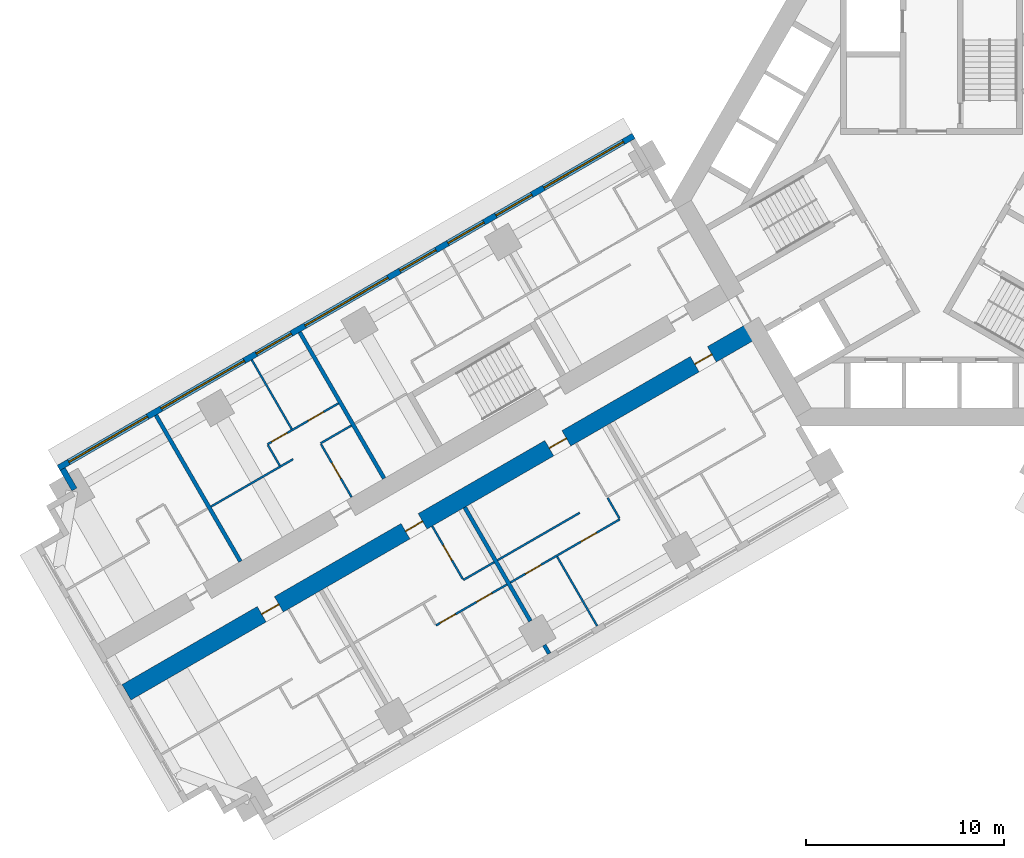
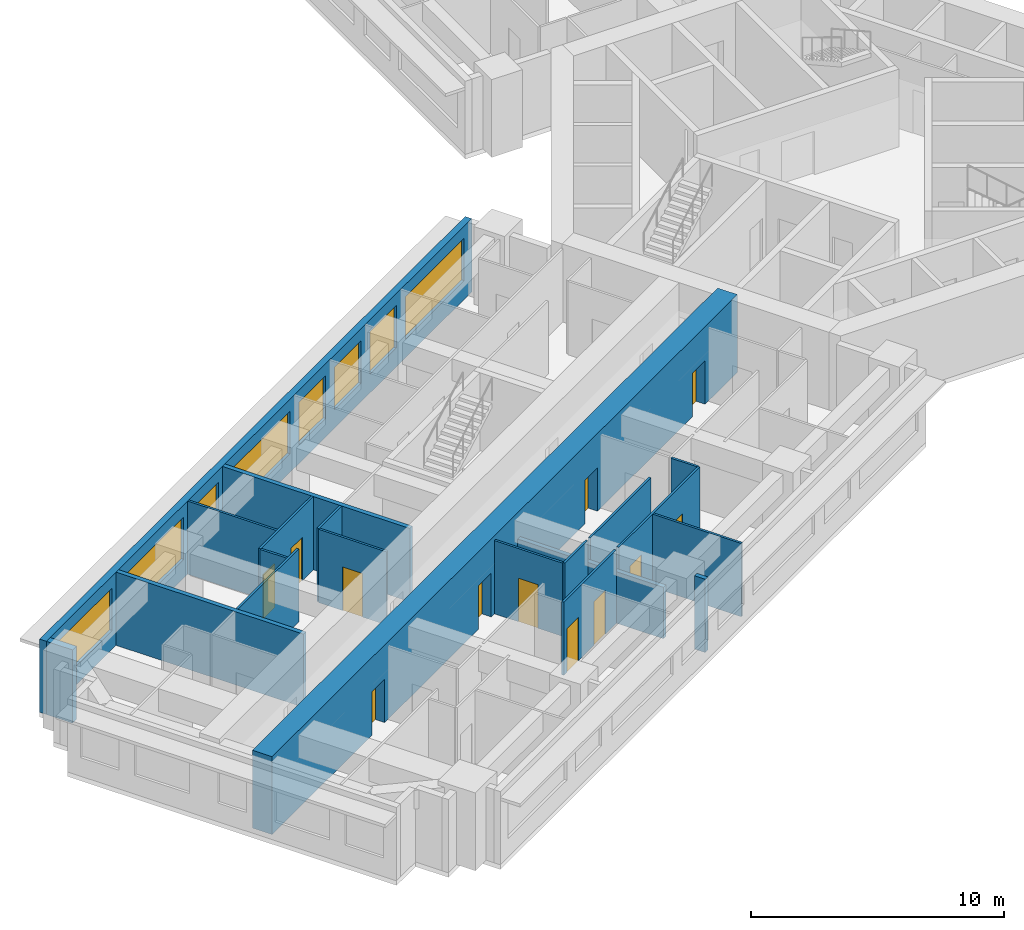
# One storey, part 4 of 15: 20 walls, 12 doors, 8 windows, 20 openings.
"""IFC4 building model written with IfcOpenShell, lengths in metres."""

from ifc_helpers import new_model, si_unit, direction, frame, frame_2d, origin, place, context, subcontext, project, spatial, rectangle, extrude, material, layer, layer_set, type_object, element, fill, save


model = new_model("IFC4")

# Units and contexts
model_context = context("Model", 3, precision=1e-05, world=origin(), true_north=direction((0.0, 1.0)))
body_context = subcontext(model_context, "Body", "Model", "MODEL_VIEW")
ifc_project = project(units=[si_unit("LENGTHUNIT", "METRE"), si_unit("AREAUNIT", "SQUARE_METRE"), si_unit("VOLUMEUNIT", "CUBIC_METRE"), si_unit("PLANEANGLEUNIT", "RADIAN"), si_unit("MASSUNIT", "GRAM", prefix="KILO")], contexts=[model_context])

# Site, building, storey
site_placement = place(None, origin())
site = spatial("IfcSite", under=ifc_project, at=site_placement, CompositionType="ELEMENT")
building_placement = place(site_placement, origin())
building = spatial("IfcBuilding", under=site, at=building_placement, Name="Impinga Residences", CompositionType="ELEMENT")
storey_placement = place(building_placement, frame((0.0, 0.0, 86.0)))
storey = spatial("IfcBuildingStorey", under=building, at=storey_placement, Name="L21", CompositionType="ELEMENT", Elevation=86.0)

# Wall, openings, doors
ifc_material_1 = material(Name="Concrete C70/85", Category="concrete")
ifc_layer_1 = layer(ifc_material_1, 0.89990234375)
ifc_layer_set_1 = layer_set([ifc_layer_1], Name="Concrete C70/85")
wall_type_1 = type_object("IfcWallType", Name="BW1 corridor buttress wall, L05 to L22 900", PredefinedType="SHEAR", material=ifc_layer_set_1)
wall_1_placement = place(storey_placement, frame((-8.910400390625, -6.530029296875, 0.0), z_axis=(0.0, 0.0, 1.0), x_axis=(-0.866025284237, -0.500000207062, 0.0)))
wall_1 = element("IfcWall", 1, at=wall_1_placement, inside=storey, type_object=wall_type_1, Name="Corridor wall BW1 WC L21", PredefinedType="SHEAR", context=body_context, shape_type="SweptSolid", body=[
    extrude(rectangle(XDim=36.75, YDim=0.89990234375, at=frame_2d((18.375, 0.0))), origin(), (0.0, 0.0, 1.0), 3.75),
])
opening_1_placement = place(wall_1_placement, frame((2.550048828125, 0.0, 0.0)))
opening_1 = element("IfcOpeningElement", 2, at=opening_1_placement, cuts=wall_1, Name="Opening D1", PredefinedType="OPENING", context=body_context, shape_type="SweptSolid", body=[
    extrude(rectangle(XDim=1.0, YDim=2.10009765625, at=frame_2d((0.5, 1.050048828125))), frame((0.0, 0.4599609375, 0.0), z_axis=(0.0, -1.0, 0.0), x_axis=(1.0, 0.0, 0.0)), (0.0, 0.0, 1.0), 0.919921875),
])
opening_2_placement = place(wall_1_placement, frame((11.050048828125, 0.0, 0.0)))
opening_2 = element("IfcOpeningElement", 3, at=opening_2_placement, cuts=wall_1, Name="Opening D1", PredefinedType="OPENING", context=body_context, shape_type="SweptSolid", body=[
    extrude(rectangle(XDim=1.0, YDim=2.10009765625, at=frame_2d((0.5, 1.050048828125))), frame((0.0, 0.4599609375, 0.0), z_axis=(0.0, -1.0, 0.0), x_axis=(1.0, 0.0, 0.0)), (0.0, 0.0, 1.0), 0.919921875),
])
opening_3_placement = place(wall_1_placement, frame((19.449951171875, 0.0, 0.0)))
opening_3 = element("IfcOpeningElement", 4, at=opening_3_placement, cuts=wall_1, Name="Opening D1", PredefinedType="OPENING", context=body_context, shape_type="SweptSolid", body=[
    extrude(rectangle(XDim=1.0, YDim=2.10009765625, at=frame_2d((0.5, 1.050048828125))), frame((0.0, 0.4599609375, 0.0), z_axis=(0.0, -1.0, 0.0), x_axis=(1.0, 0.0, 0.0)), (0.0, 0.0, 1.0), 0.919921875),
])
opening_4_placement = place(wall_1_placement, frame((27.85009765625, 0.0, 0.0)))
opening_4 = element("IfcOpeningElement", 5, at=opening_4_placement, cuts=wall_1, Name="Opening D1", PredefinedType="OPENING", context=body_context, shape_type="SweptSolid", body=[
    extrude(rectangle(XDim=1.0, YDim=2.10009765625, at=frame_2d((0.5, 1.050048828125))), frame((0.0, 0.4599609375, 0.0), z_axis=(0.0, -1.0, 0.0), x_axis=(1.0, 0.0, 0.0)), (0.0, 0.0, 1.0), 0.919921875),
])
ifc_material_2 = material(Name="Timber door set", Category="wood")
door_type_1 = type_object("IfcDoorType", Name="D1 apartment entrance door 1000x2100", OperationType="SINGLE_SWING_LEFT", PredefinedType="DOOR", material=ifc_material_2)
door_1_placement = place(opening_1_placement, origin())
door_1 = element("IfcDoor", 6, at=door_1_placement, inside=storey, type_object=door_type_1, Name="Apartment L21-WA1 entrance", OperationType="SINGLE_SWING_LEFT", OverallHeight=2.10009765625, OverallWidth=1.0, PredefinedType="DOOR", context=body_context, shape_type="SweptSolid", body=[
    extrude(rectangle(XDim=1.0, YDim=2.10009765625, at=frame_2d((0.5, 1.050048828125))), frame((0.0, 0.02490234375, 0.0), z_axis=(0.0, -1.0, 0.0), x_axis=(1.0, 0.0, 0.0)), (0.0, 0.0, 1.0), 0.050048828125),
])
fill(opening_1, door_1)
door_2_placement = place(opening_2_placement, origin())
door_2 = element("IfcDoor", 7, at=door_2_placement, inside=storey, type_object=door_type_1, Name="Apartment L21-WA2 entrance", OperationType="SINGLE_SWING_LEFT", OverallHeight=2.10009765625, OverallWidth=1.0, PredefinedType="DOOR", context=body_context, shape_type="SweptSolid", body=[
    extrude(rectangle(XDim=1.0, YDim=2.10009765625, at=frame_2d((0.5, 1.050048828125))), frame((0.0, 0.02490234375, 0.0), z_axis=(0.0, -1.0, 0.0), x_axis=(1.0, 0.0, 0.0)), (0.0, 0.0, 1.0), 0.050048828125),
])
fill(opening_2, door_2)
door_3_placement = place(opening_3_placement, origin())
door_3 = element("IfcDoor", 8, at=door_3_placement, inside=storey, type_object=door_type_1, Name="Apartment L21-WA3 entrance", OperationType="SINGLE_SWING_RIGHT", OverallHeight=2.10009765625, OverallWidth=1.0, PredefinedType="DOOR", context=body_context, shape_type="SweptSolid", body=[
    extrude(rectangle(XDim=1.0, YDim=2.10009765625, at=frame_2d((0.5, 1.050048828125))), frame((0.0, 0.02490234375, 0.0), z_axis=(0.0, -1.0, 0.0), x_axis=(1.0, 0.0, 0.0)), (0.0, 0.0, 1.0), 0.050048828125),
])
fill(opening_3, door_3)
door_4_placement = place(opening_4_placement, origin())
door_4 = element("IfcDoor", 9, at=door_4_placement, inside=storey, type_object=door_type_1, Name="Apartment L21-WA4 entrance", OperationType="SINGLE_SWING_RIGHT", OverallHeight=2.10009765625, OverallWidth=1.0, PredefinedType="DOOR", context=body_context, shape_type="SweptSolid", body=[
    extrude(rectangle(XDim=1.0, YDim=2.10009765625, at=frame_2d((0.5, 1.050048828125))), frame((0.0, 0.02490234375, 0.0), z_axis=(0.0, -1.0, 0.0), x_axis=(1.0, 0.0, 0.0)), (0.0, 0.0, 1.0), 0.050048828125),
])
fill(opening_4, door_4)

# Wall
ifc_material_3 = material(Name="Terracotta rainscreen on blockwork", Category="masonry")
ifc_layer_2 = layer(ifc_material_3, 0.300048828125)
ifc_layer_set_2 = layer_set([ifc_layer_2], Name="EW1 external wall, terracotta rainscreen on blockwork 300")
wall_type_2 = type_object("IfcWallType", Name="EW1 external wall, terracotta rainscreen on blockwork 300", PredefinedType="SOLIDWALL", material=ifc_layer_set_2)
wall_2_placement = place(storey_placement, frame((-43.37109375, -14.64208984375, 0.0), z_axis=(0.0, 0.0, 1.0), x_axis=(-0.500029051137, 0.866008630453, 0.0)))
element("IfcWall", 10, at=wall_2_placement, inside=storey, type_object=wall_type_2, Name="External wall EW1 L21", PredefinedType="SOLIDWALL", context=body_context, shape_type="SweptSolid", body=[
    extrude(rectangle(XDim=1.19482421875, YDim=0.300048828125, at=frame_2d((0.597412109375, 0.0))), origin(), (0.0, 0.0, 1.0), 3.530029296875),
])

# Wall, openings, windows
wall_3_placement = place(storey_placement, frame((-44.17333984375, -13.552490234375, 0.0), z_axis=(0.0, 0.0, 1.0), x_axis=(0.866024291668, 0.500001926238, 0.0)))
wall_3 = element("IfcWall", 11, at=wall_3_placement, inside=storey, type_object=wall_type_2, Name="External wall EW1 L21", PredefinedType="SOLIDWALL", context=body_context, shape_type="SweptSolid", body=[
    extrude(rectangle(XDim=33.599853515625, YDim=0.300048828125, at=frame_2d((16.7998046875, 0.0))), origin(), (0.0, 0.0, 1.0), 3.530029296875),
])
opening_5_placement = place(wall_3_placement, frame((0.60009765625, 0.0, 0.89990234375)))
opening_5 = element("IfcOpeningElement", 12, at=opening_5_placement, cuts=wall_3, Name="Opening W3", PredefinedType="OPENING", context=body_context, shape_type="SweptSolid", body=[
    extrude(rectangle(XDim=4.60009765625, YDim=2.050048828125, at=frame_2d((2.300048828125, 1.02490234375))), frame((0.0, 0.159912109375, 0.0), z_axis=(0.0, -1.0, 0.0), x_axis=(1.0, 0.0, 0.0)), (0.0, 0.0, 1.0), 0.320068359375),
])
opening_6_placement = place(wall_3_placement, frame((6.0, 0.0, 0.89990234375)))
opening_6 = element("IfcOpeningElement", 13, at=opening_6_placement, cuts=wall_3, Name="Opening W6", PredefinedType="OPENING", context=body_context, shape_type="SweptSolid", body=[
    extrude(rectangle(XDim=4.85009765625, YDim=2.050048828125, at=frame_2d((2.425048828125, 1.02490234375))), frame((0.0, 0.159912109375, 0.0), z_axis=(0.0, -1.0, 0.0), x_axis=(1.0, 0.0, 0.0)), (0.0, 0.0, 1.0), 0.320068359375),
])
opening_7_placement = place(wall_3_placement, frame((11.550048828125, 0.0, 0.89990234375)))
opening_7 = element("IfcOpeningElement", 14, at=opening_7_placement, cuts=wall_3, Name="Opening W14", PredefinedType="OPENING", context=body_context, shape_type="SweptSolid", body=[
    extrude(rectangle(XDim=2.050048828125, YDim=2.050048828125, at=frame_2d((1.02490234375, 1.02490234375))), frame((0.0, 0.159912109375, 0.0), z_axis=(0.0, -1.0, 0.0), x_axis=(1.0, 0.0, 0.0)), (0.0, 0.0, 1.0), 0.320068359375),
])
opening_8_placement = place(wall_3_placement, frame((14.39990234375, 0.0, 0.89990234375)))
opening_8 = element("IfcOpeningElement", 15, at=opening_8_placement, cuts=wall_3, Name="Opening W6", PredefinedType="OPENING", context=body_context, shape_type="SweptSolid", body=[
    extrude(rectangle(XDim=4.85009765625, YDim=2.050048828125, at=frame_2d((2.425048828125, 1.02490234375))), frame((0.0, 0.159912109375, 0.0), z_axis=(0.0, -1.0, 0.0), x_axis=(1.0, 0.0, 0.0)), (0.0, 0.0, 1.0), 0.320068359375),
])
opening_9_placement = place(wall_3_placement, frame((19.949951171875, 0.0, 0.89990234375)))
opening_9 = element("IfcOpeningElement", 16, at=opening_9_placement, cuts=wall_3, Name="Opening W9", PredefinedType="OPENING", context=body_context, shape_type="SweptSolid", body=[
    extrude(rectangle(XDim=2.10009765625, YDim=2.050048828125, at=frame_2d((1.050048828125, 1.02490234375))), frame((0.0, 0.159912109375, 0.0), z_axis=(0.0, -1.0, 0.0), x_axis=(1.0, 0.0, 0.0)), (0.0, 0.0, 1.0), 0.320068359375),
])
opening_10_placement = place(wall_3_placement, frame((22.75, 0.0, 0.89990234375)))
opening_10 = element("IfcOpeningElement", 17, at=opening_10_placement, cuts=wall_3, Name="Opening W9", PredefinedType="OPENING", context=body_context, shape_type="SweptSolid", body=[
    extrude(rectangle(XDim=2.10009765625, YDim=2.050048828125, at=frame_2d((1.050048828125, 1.02490234375))), frame((0.0, 0.159912109375, 0.0), z_axis=(0.0, -1.0, 0.0), x_axis=(1.0, 0.0, 0.0)), (0.0, 0.0, 1.0), 0.320068359375),
])
opening_11_placement = place(wall_3_placement, frame((25.550048828125, 0.0, 0.89990234375)))
opening_11 = element("IfcOpeningElement", 18, at=opening_11_placement, cuts=wall_3, Name="Opening W9", PredefinedType="OPENING", context=body_context, shape_type="SweptSolid", body=[
    extrude(rectangle(XDim=2.10009765625, YDim=2.050048828125, at=frame_2d((1.050048828125, 1.02490234375))), frame((0.0, 0.159912109375, 0.0), z_axis=(0.0, -1.0, 0.0), x_axis=(1.0, 0.0, 0.0)), (0.0, 0.0, 1.0), 0.320068359375),
])
opening_12_placement = place(wall_3_placement, frame((28.35009765625, 0.0, 0.89990234375)))
opening_12 = element("IfcOpeningElement", 19, at=opening_12_placement, cuts=wall_3, Name="Opening W10", PredefinedType="OPENING", context=body_context, shape_type="SweptSolid", body=[
    extrude(rectangle(XDim=4.64990234375, YDim=2.050048828125, at=frame_2d((2.324951171875, 1.02490234375))), frame((0.0, 0.159912109375, 0.0), z_axis=(0.0, -1.0, 0.0), x_axis=(1.0, 0.0, 0.0)), (0.0, 0.0, 1.0), 0.320068359375),
])
ifc_material_4 = material(Name="Aluminium window, clear double glazing", Category="aluminium")
window_type_1 = type_object("IfcWindowType", Name="W10 ribbon window 4650x2050", PartitioningType="SINGLE_PANEL", PredefinedType="WINDOW", material=ifc_material_4)
window_1_placement = place(opening_12_placement, origin())
window_1 = element("IfcWindow", 20, at=window_1_placement, inside=storey, type_object=window_type_1, Name="Window L21", OverallHeight=2.050048828125, OverallWidth=4.64990234375, PartitioningType="SINGLE_PANEL", PredefinedType="WINDOW", context=body_context, shape_type="SweptSolid", body=[
    extrude(rectangle(XDim=4.64990234375, YDim=2.050048828125, at=frame_2d((2.324951171875, 1.02490234375))), frame((0.0, 0.030029296875, 0.0), z_axis=(0.0, -1.0, 0.0), x_axis=(1.0, 0.0, 0.0)), (0.0, 0.0, 1.0), 0.06005859375),
])
fill(opening_12, window_1)
window_type_2 = type_object("IfcWindowType", Name="W14 ribbon window 2050x2050", PartitioningType="SINGLE_PANEL", PredefinedType="WINDOW", material=ifc_material_4)
window_2_placement = place(opening_7_placement, origin())
window_2 = element("IfcWindow", 21, at=window_2_placement, inside=storey, type_object=window_type_2, Name="Window L21", OverallHeight=2.050048828125, OverallWidth=2.050048828125, PartitioningType="SINGLE_PANEL", PredefinedType="WINDOW", context=body_context, shape_type="SweptSolid", body=[
    extrude(rectangle(XDim=2.050048828125, YDim=2.050048828125, at=frame_2d((1.02490234375, 1.02490234375))), frame((0.0, 0.030029296875, 0.0), z_axis=(0.0, -1.0, 0.0), x_axis=(1.0, 0.0, 0.0)), (0.0, 0.0, 1.0), 0.06005859375),
])
fill(opening_7, window_2)
window_type_3 = type_object("IfcWindowType", Name="W3 ribbon window 4600x2050", PartitioningType="SINGLE_PANEL", PredefinedType="WINDOW", material=ifc_material_4)
window_3_placement = place(opening_5_placement, origin())
window_3 = element("IfcWindow", 22, at=window_3_placement, inside=storey, type_object=window_type_3, Name="Window L21", OverallHeight=2.050048828125, OverallWidth=4.60009765625, PartitioningType="SINGLE_PANEL", PredefinedType="WINDOW", context=body_context, shape_type="SweptSolid", body=[
    extrude(rectangle(XDim=4.60009765625, YDim=2.050048828125, at=frame_2d((2.300048828125, 1.02490234375))), frame((0.0, 0.030029296875, 0.0), z_axis=(0.0, -1.0, 0.0), x_axis=(1.0, 0.0, 0.0)), (0.0, 0.0, 1.0), 0.06005859375),
])
fill(opening_5, window_3)
window_type_4 = type_object("IfcWindowType", Name="W6 ribbon window 4850x2050", PartitioningType="SINGLE_PANEL", PredefinedType="WINDOW", material=ifc_material_4)
window_4_placement = place(opening_6_placement, origin())
window_4 = element("IfcWindow", 23, at=window_4_placement, inside=storey, type_object=window_type_4, Name="Window L21", OverallHeight=2.050048828125, OverallWidth=4.85009765625, PartitioningType="SINGLE_PANEL", PredefinedType="WINDOW", context=body_context, shape_type="SweptSolid", body=[
    extrude(rectangle(XDim=4.85009765625, YDim=2.050048828125, at=frame_2d((2.425048828125, 1.02490234375))), frame((0.0, 0.030029296875, 0.0), z_axis=(0.0, -1.0, 0.0), x_axis=(1.0, 0.0, 0.0)), (0.0, 0.0, 1.0), 0.06005859375),
])
fill(opening_6, window_4)
window_5_placement = place(opening_8_placement, origin())
window_5 = element("IfcWindow", 24, at=window_5_placement, inside=storey, type_object=window_type_4, Name="Window L21", OverallHeight=2.050048828125, OverallWidth=4.85009765625, PartitioningType="SINGLE_PANEL", PredefinedType="WINDOW", context=body_context, shape_type="SweptSolid", body=[
    extrude(rectangle(XDim=4.85009765625, YDim=2.050048828125, at=frame_2d((2.425048828125, 1.02490234375))), frame((0.0, 0.030029296875, 0.0), z_axis=(0.0, -1.0, 0.0), x_axis=(1.0, 0.0, 0.0)), (0.0, 0.0, 1.0), 0.06005859375),
])
fill(opening_8, window_5)
window_type_5 = type_object("IfcWindowType", Name="W9 ribbon window 2100x2050", PartitioningType="SINGLE_PANEL", PredefinedType="WINDOW", material=ifc_material_4)
window_6_placement = place(opening_9_placement, origin())
window_6 = element("IfcWindow", 25, at=window_6_placement, inside=storey, type_object=window_type_5, Name="Window L21", OverallHeight=2.050048828125, OverallWidth=2.10009765625, PartitioningType="SINGLE_PANEL", PredefinedType="WINDOW", context=body_context, shape_type="SweptSolid", body=[
    extrude(rectangle(XDim=2.10009765625, YDim=2.050048828125, at=frame_2d((1.050048828125, 1.02490234375))), frame((0.0, 0.030029296875, 0.0), z_axis=(0.0, -1.0, 0.0), x_axis=(1.0, 0.0, 0.0)), (0.0, 0.0, 1.0), 0.06005859375),
])
fill(opening_9, window_6)
window_7_placement = place(opening_10_placement, origin())
window_7 = element("IfcWindow", 26, at=window_7_placement, inside=storey, type_object=window_type_5, Name="Window L21", OverallHeight=2.050048828125, OverallWidth=2.10009765625, PartitioningType="SINGLE_PANEL", PredefinedType="WINDOW", context=body_context, shape_type="SweptSolid", body=[
    extrude(rectangle(XDim=2.10009765625, YDim=2.050048828125, at=frame_2d((1.050048828125, 1.02490234375))), frame((0.0, 0.030029296875, 0.0), z_axis=(0.0, -1.0, 0.0), x_axis=(1.0, 0.0, 0.0)), (0.0, 0.0, 1.0), 0.06005859375),
])
fill(opening_10, window_7)
window_8_placement = place(opening_11_placement, origin())
window_8 = element("IfcWindow", 27, at=window_8_placement, inside=storey, type_object=window_type_5, Name="Window L21", OverallHeight=2.050048828125, OverallWidth=2.10009765625, PartitioningType="SINGLE_PANEL", PredefinedType="WINDOW", context=body_context, shape_type="SweptSolid", body=[
    extrude(rectangle(XDim=2.10009765625, YDim=2.050048828125, at=frame_2d((1.050048828125, 1.02490234375))), frame((0.0, 0.030029296875, 0.0), z_axis=(0.0, -1.0, 0.0), x_axis=(1.0, 0.0, 0.0)), (0.0, 0.0, 1.0), 0.06005859375),
])
fill(opening_11, window_8)

# Wall
ifc_material_5 = material(Name="Gypsum board on steel studs", Category="steel")
ifc_layer_3 = layer(ifc_material_5, 0.10009765625)
ifc_layer_set_3 = layer_set([ifc_layer_3], Name="Gypsum board on steel studs")
wall_type_3 = type_object("IfcWallType", Name="IP1 partition 100", PredefinedType="PARTITIONING", material=ifc_layer_set_3)
wall_4_placement = place(storey_placement, frame((-17.8056640625, -15.82275390625, 0.0), z_axis=(0.0, 0.0, 1.0), x_axis=(-0.866037363387, -0.499979284789, 0.0)))
element("IfcWall", 28, at=wall_4_placement, inside=storey, type_object=wall_type_3, Name="Partition L21-WA2:DIV1", PredefinedType="PARTITIONING", context=body_context, shape_type="SweptSolid", body=[
    extrude(rectangle(XDim=4.800048828125, YDim=0.10009765625, at=frame_2d((2.39990234375, 0.0))), origin(), (0.0, 0.0, 1.0), 3.530029296875),
])

# Wall, openings, doors
wall_5_placement = place(storey_placement, frame((-15.77001953125, -16.1484375, 0.0), z_axis=(0.0, 0.0, 1.0), x_axis=(-0.866018518567, -0.500011925357, 0.0)))
wall_5 = element("IfcWall", 29, at=wall_5_placement, inside=storey, type_object=wall_type_3, Name="Partition L21-WA2:STRIP", PredefinedType="PARTITIONING", context=body_context, shape_type="SweptSolid", body=[
    extrude(rectangle(XDim=6.400146484375, YDim=0.10009765625, at=frame_2d((3.2001953125, 0.0))), origin(), (0.0, 0.0, 1.0), 3.530029296875),
])
opening_13_placement = place(wall_5_placement, frame((1.375, 0.0, 0.0)))
opening_13 = element("IfcOpeningElement", 30, at=opening_13_placement, cuts=wall_5, Name="Opening D2", PredefinedType="OPENING", context=body_context, shape_type="SweptSolid", body=[
    extrude(rectangle(XDim=0.89990234375, YDim=2.10009765625, at=frame_2d((0.449951171875, 1.050048828125))), frame((0.0, 0.06005859375, 0.0), z_axis=(0.0, -1.0, 0.0), x_axis=(1.0, 0.0, 0.0)), (0.0, 0.0, 1.0), 0.1201171875),
])
opening_14_placement = place(wall_5_placement, frame((4.625, 0.0, 0.0)))
opening_14 = element("IfcOpeningElement", 31, at=opening_14_placement, cuts=wall_5, Name="Opening D2", PredefinedType="OPENING", context=body_context, shape_type="SweptSolid", body=[
    extrude(rectangle(XDim=0.89990234375, YDim=2.10009765625, at=frame_2d((0.449951171875, 1.050048828125))), frame((0.0, 0.06005859375, 0.0), z_axis=(0.0, -1.0, 0.0), x_axis=(1.0, 0.0, 0.0)), (0.0, 0.0, 1.0), 0.1201171875),
])
door_type_2 = type_object("IfcDoorType", Name="D2 internal door 900x2100", OperationType="SINGLE_SWING_LEFT", PredefinedType="DOOR", material=ifc_material_2)
door_5_placement = place(opening_13_placement, origin())
door_5 = element("IfcDoor", 32, at=door_5_placement, inside=storey, type_object=door_type_2, Name="Apartment L21-WA2 room door", OperationType="SINGLE_SWING_LEFT", OverallHeight=2.10009765625, OverallWidth=0.89990234375, PredefinedType="DOOR", context=body_context, shape_type="SweptSolid", body=[
    extrude(rectangle(XDim=0.89990234375, YDim=2.10009765625, at=frame_2d((0.449951171875, 1.050048828125))), frame((0.0, 0.02490234375, 0.0), z_axis=(0.0, -1.0, 0.0), x_axis=(1.0, 0.0, 0.0)), (0.0, 0.0, 1.0), 0.050048828125),
])
fill(opening_13, door_5)
door_6_placement = place(opening_14_placement, origin())
door_6 = element("IfcDoor", 33, at=door_6_placement, inside=storey, type_object=door_type_2, Name="Apartment L21-WA2 room door", OperationType="SINGLE_SWING_RIGHT", OverallHeight=2.10009765625, OverallWidth=0.89990234375, PredefinedType="DOOR", context=body_context, shape_type="SweptSolid", body=[
    extrude(rectangle(XDim=0.89990234375, YDim=2.10009765625, at=frame_2d((0.449951171875, 1.050048828125))), frame((0.0, 0.02490234375, 0.0), z_axis=(0.0, -1.0, 0.0), x_axis=(1.0, 0.0, 0.0)), (0.0, 0.0, 1.0), 0.050048828125),
])
fill(opening_14, door_6)

# Walls
wall_6_placement = place(storey_placement, frame((-16.39501953125, -15.06591796875, 0.0), z_axis=(0.0, 0.0, 1.0), x_axis=(0.499880961361, -0.866094119867, 0.0)))
element("IfcWall", 34, at=wall_6_placement, inside=storey, type_object=wall_type_3, Name="Partition L21-WA2:SE0", PredefinedType="PARTITIONING", context=body_context, shape_type="SweptSolid", body=[
    extrude(rectangle(XDim=1.199951171875, YDim=0.10009765625, at=frame_2d((0.60009765625, 0.0))), origin(), (0.0, 0.0, 1.0), 3.530029296875),
])
wall_7_placement = place(storey_placement, frame((-18.949462890625, -18.041748046875, 0.0), z_axis=(0.0, 0.0, 1.0), x_axis=(0.50000943426, -0.866019956843, 0.0)))
element("IfcWall", 35, at=wall_7_placement, inside=storey, type_object=wall_type_3, Name="Partition L21-WA2:OB1", PredefinedType="PARTITIONING", context=body_context, shape_type="SweptSolid", body=[
    extrude(rectangle(XDim=4.05029296875, YDim=0.10009765625, at=frame_2d((2.025146484375, 0.0))), origin(), (0.0, 0.0, 1.0), 3.530029296875),
])
wall_8_placement = place(storey_placement, frame((-22.1357421875, -18.32275390625, 0.0), z_axis=(0.0, 0.0, 1.0), x_axis=(-0.866047807691, -0.499961193289, 0.0)))
element("IfcWall", 36, at=wall_8_placement, inside=storey, type_object=wall_type_3, Name="Partition L21-WA3:DIV0", PredefinedType="PARTITIONING", context=body_context, shape_type="SweptSolid", body=[
    extrude(rectangle(XDim=1.800048828125, YDim=0.10009765625, at=frame_2d((0.89990234375, 0.0))), origin(), (0.0, 0.0, 1.0), 3.530029296875),
])

# Wall, openings, doors
wall_9_placement = place(storey_placement, frame((-21.48583984375, -19.448486328125, 0.0), z_axis=(0.0, 0.0, 1.0), x_axis=(-0.86602981871, -0.499992353047, 0.0)))
wall_9 = element("IfcWall", 37, at=wall_9_placement, inside=storey, type_object=wall_type_3, Name="Partition L21-WA3:STRIP", PredefinedType="PARTITIONING", context=body_context, shape_type="SweptSolid", body=[
    extrude(rectangle(XDim=4.14990234375, YDim=0.10009765625, at=frame_2d((2.074951171875, 0.0))), origin(), (0.0, 0.0, 1.0), 3.530029296875),
])
opening_15_placement = place(wall_9_placement, frame((0.875, 0.0, 0.0)))
opening_15 = element("IfcOpeningElement", 38, at=opening_15_placement, cuts=wall_9, Name="Opening D2", PredefinedType="OPENING", context=body_context, shape_type="SweptSolid", body=[
    extrude(rectangle(XDim=0.89990234375, YDim=2.10009765625, at=frame_2d((0.449951171875, 1.050048828125))), frame((0.0, 0.06005859375, 0.0), z_axis=(0.0, -1.0, 0.0), x_axis=(1.0, 0.0, 0.0)), (0.0, 0.0, 1.0), 0.1201171875),
])
opening_16_placement = place(wall_9_placement, frame((3.0, 0.0, 0.0)))
opening_16 = element("IfcOpeningElement", 39, at=opening_16_placement, cuts=wall_9, Name="Opening D2", PredefinedType="OPENING", context=body_context, shape_type="SweptSolid", body=[
    extrude(rectangle(XDim=0.89990234375, YDim=2.10009765625, at=frame_2d((0.449951171875, 1.050048828125))), frame((0.0, 0.06005859375, 0.0), z_axis=(0.0, -1.0, 0.0), x_axis=(1.0, 0.0, 0.0)), (0.0, 0.0, 1.0), 0.1201171875),
])
door_7_placement = place(opening_15_placement, origin())
door_7 = element("IfcDoor", 40, at=door_7_placement, inside=storey, type_object=door_type_2, Name="Apartment L21-WA3 room door", OperationType="SINGLE_SWING_LEFT", OverallHeight=2.10009765625, OverallWidth=0.89990234375, PredefinedType="DOOR", context=body_context, shape_type="SweptSolid", body=[
    extrude(rectangle(XDim=0.89990234375, YDim=2.10009765625, at=frame_2d((0.449951171875, 1.050048828125))), frame((0.0, 0.02490234375, 0.0), z_axis=(0.0, -1.0, 0.0), x_axis=(1.0, 0.0, 0.0)), (0.0, 0.0, 1.0), 0.050048828125),
])
fill(opening_15, door_7)
door_8_placement = place(opening_16_placement, origin())
door_8 = element("IfcDoor", 41, at=door_8_placement, inside=storey, type_object=door_type_2, Name="Apartment L21-WA3 room door", OperationType="SINGLE_SWING_RIGHT", OverallHeight=2.10009765625, OverallWidth=0.89990234375, PredefinedType="DOOR", context=body_context, shape_type="SweptSolid", body=[
    extrude(rectangle(XDim=0.89990234375, YDim=2.10009765625, at=frame_2d((0.449951171875, 1.050048828125))), frame((0.0, 0.02490234375, 0.0), z_axis=(0.0, -1.0, 0.0), x_axis=(1.0, 0.0, 0.0)), (0.0, 0.0, 1.0), 0.050048828125),
])
fill(opening_16, door_8)

# Wall, opening, door
wall_10_placement = place(storey_placement, frame((-25.269775390625, -16.49462890625, 0.0), z_axis=(0.0, 0.0, 1.0), x_axis=(0.49999285859, -0.86602952684, 0.0)))
wall_10 = element("IfcWall", 42, at=wall_10_placement, inside=storey, type_object=wall_type_3, Name="Partition L21-WA3:IB1", PredefinedType="PARTITIONING", context=body_context, shape_type="SweptSolid", body=[
    extrude(rectangle(XDim=3.10009765625, YDim=0.10009765625, at=frame_2d((1.550048828125, 0.0))), origin(), (0.0, 0.0, 1.0), 3.530029296875),
])
opening_17_placement = place(wall_10_placement, frame((1.10009765625, 0.0, 0.0)))
opening_17 = element("IfcOpeningElement", 43, at=opening_17_placement, cuts=wall_10, Name="Opening D2", PredefinedType="OPENING", context=body_context, shape_type="SweptSolid", body=[
    extrude(rectangle(XDim=0.89990234375, YDim=2.10009765625, at=frame_2d((0.449951171875, 1.050048828125))), frame((0.0, 0.06005859375, 0.0), z_axis=(0.0, -1.0, 0.0), x_axis=(1.0, 0.0, 0.0)), (0.0, 0.0, 1.0), 0.1201171875),
])
door_9_placement = place(opening_17_placement, origin())
door_9 = element("IfcDoor", 44, at=door_9_placement, inside=storey, type_object=door_type_2, Name="Apartment L21-WA3 bathroom door", OperationType="SINGLE_SWING_LEFT", OverallHeight=2.10009765625, OverallWidth=0.89990234375, PredefinedType="DOOR", context=body_context, shape_type="SweptSolid", body=[
    extrude(rectangle(XDim=0.89990234375, YDim=2.10009765625, at=frame_2d((0.449951171875, 1.050048828125))), frame((0.0, 0.02490234375, 0.0), z_axis=(0.0, -1.0, 0.0), x_axis=(1.0, 0.0, 0.0)), (0.0, 0.0, 1.0), 0.050048828125),
])
fill(opening_17, door_9)

# Walls
wall_11_placement = place(storey_placement, frame((-29.360595703125, -11.408935546875, 0.0), z_axis=(0.0, 0.0, 1.0), x_axis=(-0.866047807691, -0.499961193289, 0.0)))
element("IfcWall", 45, at=wall_11_placement, inside=storey, type_object=wall_type_3, Name="Partition L21-WF2:DIV0", PredefinedType="PARTITIONING", context=body_context, shape_type="SweptSolid", body=[
    extrude(rectangle(XDim=1.800048828125, YDim=0.10009765625, at=frame_2d((0.89990234375, 0.0))), origin(), (0.0, 0.0, 1.0), 3.530029296875),
])
wall_12_placement = place(storey_placement, frame((-32.30517578125, -13.10888671875, 0.0), z_axis=(0.0, 0.0, 1.0), x_axis=(-0.866037363387, -0.499979284789, 0.0)))
element("IfcWall", 46, at=wall_12_placement, inside=storey, type_object=wall_type_3, Name="Partition L21-WF2:DIV1", PredefinedType="PARTITIONING", context=body_context, shape_type="SweptSolid", body=[
    extrude(rectangle(XDim=4.800048828125, YDim=0.10009765625, at=frame_2d((2.39990234375, 0.0))), origin(), (0.0, 0.0, 1.0), 3.530029296875),
])

# Wall, openings, doors
wall_13_placement = place(storey_placement, frame((-30.0107421875, -10.282958984375, 0.0), z_axis=(0.0, 0.0, 1.0), x_axis=(-0.86602981871, -0.499992353047, 0.0)))
wall_13 = element("IfcWall", 47, at=wall_13_placement, inside=storey, type_object=wall_type_3, Name="Partition L21-WF2:STRIP", PredefinedType="PARTITIONING", context=body_context, shape_type="SweptSolid", body=[
    extrude(rectangle(XDim=4.14990234375, YDim=0.10009765625, at=frame_2d((2.074951171875, 0.0))), origin(), (0.0, 0.0, 1.0), 3.530029296875),
])
opening_18_placement = place(wall_13_placement, frame((0.875, 0.0, 0.0)))
opening_18 = element("IfcOpeningElement", 48, at=opening_18_placement, cuts=wall_13, Name="Opening D2", PredefinedType="OPENING", context=body_context, shape_type="SweptSolid", body=[
    extrude(rectangle(XDim=0.89990234375, YDim=2.10009765625, at=frame_2d((0.449951171875, 1.050048828125))), frame((0.0, 0.06005859375, 0.0), z_axis=(0.0, -1.0, 0.0), x_axis=(1.0, 0.0, 0.0)), (0.0, 0.0, 1.0), 0.1201171875),
])
opening_19_placement = place(wall_13_placement, frame((3.0, 0.0, 0.0)))
opening_19 = element("IfcOpeningElement", 49, at=opening_19_placement, cuts=wall_13, Name="Opening D2", PredefinedType="OPENING", context=body_context, shape_type="SweptSolid", body=[
    extrude(rectangle(XDim=0.89990234375, YDim=2.10009765625, at=frame_2d((0.449951171875, 1.050048828125))), frame((0.0, 0.06005859375, 0.0), z_axis=(0.0, -1.0, 0.0), x_axis=(1.0, 0.0, 0.0)), (0.0, 0.0, 1.0), 0.1201171875),
])
door_10_placement = place(opening_18_placement, origin())
door_10 = element("IfcDoor", 50, at=door_10_placement, inside=storey, type_object=door_type_2, Name="Apartment L21-WF2 room door", OperationType="SINGLE_SWING_LEFT", OverallHeight=2.10009765625, OverallWidth=0.89990234375, PredefinedType="DOOR", context=body_context, shape_type="SweptSolid", body=[
    extrude(rectangle(XDim=0.89990234375, YDim=2.10009765625, at=frame_2d((0.449951171875, 1.050048828125))), frame((0.0, 0.02490234375, 0.0), z_axis=(0.0, -1.0, 0.0), x_axis=(1.0, 0.0, 0.0)), (0.0, 0.0, 1.0), 0.050048828125),
])
fill(opening_18, door_10)
door_11_placement = place(opening_19_placement, origin())
door_11 = element("IfcDoor", 51, at=door_11_placement, inside=storey, type_object=door_type_2, Name="Apartment L21-WF2 room door", OperationType="SINGLE_SWING_RIGHT", OverallHeight=2.10009765625, OverallWidth=0.89990234375, PredefinedType="DOOR", context=body_context, shape_type="SweptSolid", body=[
    extrude(rectangle(XDim=0.89990234375, YDim=2.10009765625, at=frame_2d((0.449951171875, 1.050048828125))), frame((0.0, 0.02490234375, 0.0), z_axis=(0.0, -1.0, 0.0), x_axis=(1.0, 0.0, 0.0)), (0.0, 0.0, 1.0), 0.050048828125),
])
fill(opening_19, door_11)

# Wall
wall_14_placement = place(storey_placement, frame((-32.979736328125, -13.4404296875, 0.0), z_axis=(0.0, 0.0, 1.0), x_axis=(-0.499969057507, 0.866043267704, 0.0)))
element("IfcWall", 52, at=wall_14_placement, inside=storey, type_object=wall_type_3, Name="Partition L21-WF2:SE1", PredefinedType="PARTITIONING", context=body_context, shape_type="SweptSolid", body=[
    extrude(rectangle(XDim=1.19970703125, YDim=0.10009765625, at=frame_2d((0.599853515625, 0.0))), origin(), (0.0, 0.0, 1.0), 3.530029296875),
])

# Wall, opening, door
wall_15_placement = place(storey_placement, frame((-29.344482421875, -15.036865234375, 0.0), z_axis=(0.0, 0.0, 1.0), x_axis=(-0.49999285859, 0.86602952684, 0.0)))
wall_15 = element("IfcWall", 53, at=wall_15_placement, inside=storey, type_object=wall_type_3, Name="Partition L21-WF2:IB1", PredefinedType="PARTITIONING", context=body_context, shape_type="SweptSolid", body=[
    extrude(rectangle(XDim=3.10009765625, YDim=0.10009765625, at=frame_2d((1.550048828125, 0.0))), origin(), (0.0, 0.0, 1.0), 3.530029296875),
])
opening_20_placement = place(wall_15_placement, frame((1.10009765625, 0.0, 0.0)))
opening_20 = element("IfcOpeningElement", 54, at=opening_20_placement, cuts=wall_15, Name="Opening D2", PredefinedType="OPENING", context=body_context, shape_type="SweptSolid", body=[
    extrude(rectangle(XDim=0.89990234375, YDim=2.10009765625, at=frame_2d((0.449951171875, 1.050048828125))), frame((0.0, 0.06005859375, 0.0), z_axis=(0.0, -1.0, 0.0), x_axis=(1.0, 0.0, 0.0)), (0.0, 0.0, 1.0), 0.1201171875),
])
door_12_placement = place(opening_20_placement, origin())
door_12 = element("IfcDoor", 55, at=door_12_placement, inside=storey, type_object=door_type_2, Name="Apartment L21-WF2 bathroom door", OperationType="SINGLE_SWING_LEFT", OverallHeight=2.10009765625, OverallWidth=0.89990234375, PredefinedType="DOOR", context=body_context, shape_type="SweptSolid", body=[
    extrude(rectangle(XDim=0.89990234375, YDim=2.10009765625, at=frame_2d((0.449951171875, 1.050048828125))), frame((0.0, 0.02490234375, 0.0), z_axis=(0.0, -1.0, 0.0), x_axis=(1.0, 0.0, 0.0)), (0.0, 0.0, 1.0), 0.050048828125),
])
fill(opening_20, door_12)

# Walls
wall_16_placement = place(storey_placement, frame((-32.3740234375, -11.589599609375, 0.0), z_axis=(0.0, 0.0, 1.0), x_axis=(-0.499990325971, 0.866030989016, 0.0)))
element("IfcWall", 56, at=wall_16_placement, inside=storey, type_object=wall_type_3, Name="Partition L21-WF2:OB1", PredefinedType="PARTITIONING", context=body_context, shape_type="SweptSolid", body=[
    extrude(rectangle(XDim=4.0498046875, YDim=0.10009765625, at=frame_2d((2.02490234375, 0.0))), origin(), (0.0, 0.0, 1.0), 3.530029296875),
])
ifc_material_6 = material(Name="Concrete blockwork", Category="masonry")
ifc_layer_4 = layer(ifc_material_6, 0.199951171875)
ifc_layer_set_4 = layer_set([ifc_layer_4], Name="PW1 party wall between apartments 200")
wall_type_4 = type_object("IfcWallType", Name="PW1 party wall between apartments 200", PredefinedType="SOLIDWALL", material=ifc_layer_set_4)
wall_17_placement = place(storey_placement, frame((-23.624267578125, -15.544677734375, 0.0), z_axis=(0.0, 0.0, 1.0), x_axis=(0.49999681972, -0.866027239912, 0.0)))
element("IfcWall", 57, at=wall_17_placement, inside=storey, type_object=wall_type_4, Name="Party wall between apartments L21-WA2:PARTY", PredefinedType="SOLIDWALL", context=body_context, shape_type="SweptSolid", body=[
    extrude(rectangle(XDim=6.64990234375, YDim=0.199951171875, at=frame_2d((3.324951171875, 0.0))), origin(), (0.0, 0.0, 1.0), 2.47998046875),
])
wall_18_placement = place(storey_placement, frame((-19.59912109375, -22.51611328125, 0.0), z_axis=(0.0, 0.0, 1.0), x_axis=(0.499919672301, -0.866071776036, 0.0)))
element("IfcWall", 58, at=wall_18_placement, inside=storey, type_object=wall_type_4, Name="Party wall between apartments L21-WA2:PARTYb", PredefinedType="SOLIDWALL", context=body_context, shape_type="SweptSolid", body=[
    extrude(rectangle(XDim=0.5, YDim=0.199951171875, at=frame_2d((0.25, 0.0))), origin(), (0.0, 0.0, 1.0), 3.530029296875),
])
for number, where, z_axis, x_axis, name in (
    (59, (-27.69921875, -14.0869140625, 0.0), (0.0, 0.0, 1.0), (-0.499990227581, 0.86603104582, 0.0), "Party wall between apartments L21-WF1:PARTY"),
    (60, (-34.9736328125, -18.286865234375, 0.0), (0.0, 0.0, 1.0), (-0.500011643316, 0.866018681408, 0.0), "Party wall between apartments L21-WF2:PARTY"),
):
    element("IfcWall", number, at=place(storey_placement, frame(where, z_axis=z_axis, x_axis=x_axis)), inside=storey, type_object=wall_type_4, Name=name, PredefinedType="SOLIDWALL", context=body_context, shape_type="SweptSolid", body=[
        extrude(rectangle(XDim=8.550048828125, YDim=0.199951171875, at=frame_2d((4.27490234375, 0.0))), origin(), (0.0, 0.0, 1.0), 3.530029296875),
    ])

save(model, "model.ifc")
